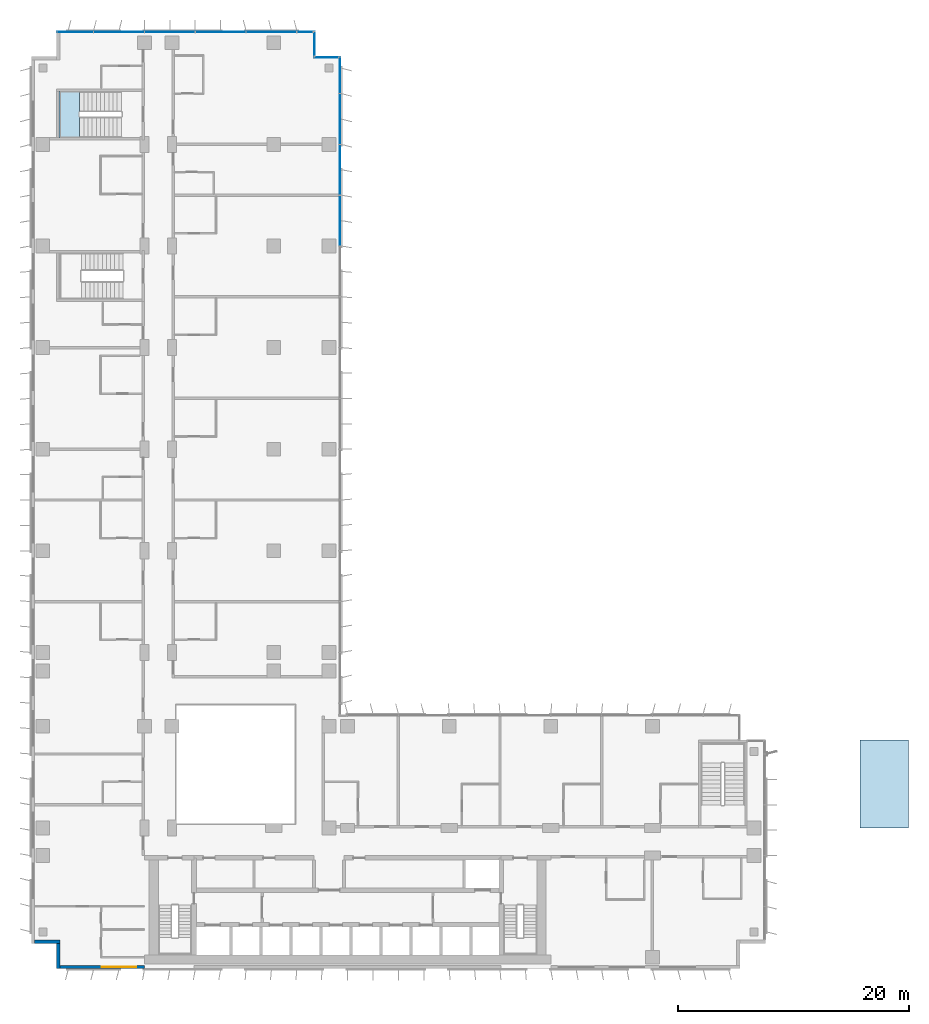
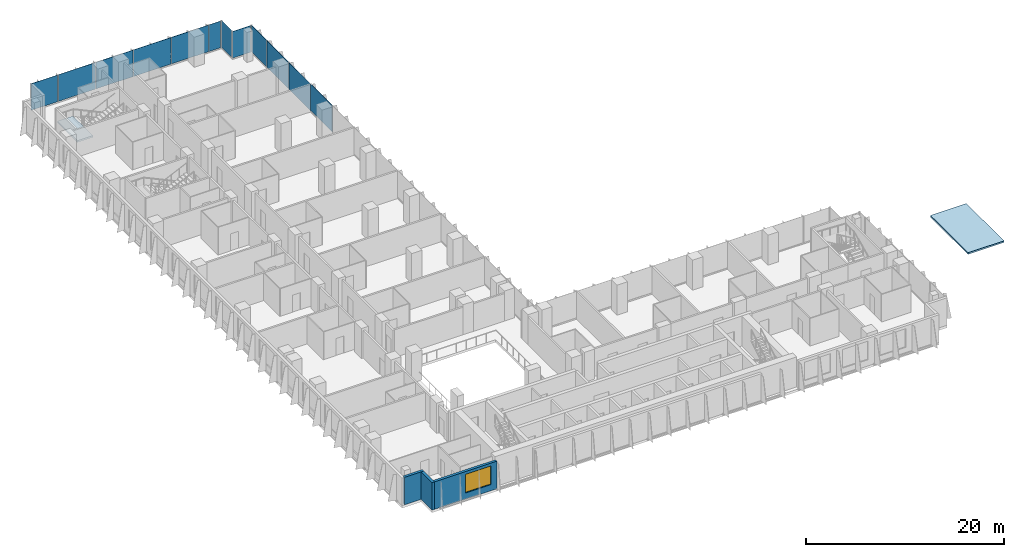
# One storey, part 12 of 22: 12 plates, 3 walls, 2 slabs, 1 window, 1 opening, 5 elements without a shape of their own.
"""IFC4 building model written with IfcOpenShell, lengths in metres."""

from ifc_helpers import new_model, si_unit, direction, frame, frame_2d, origin, origin_2d, place, context, subcontext, project, spatial, polyline, rectangle, outline, extrude, source, transform, mapped, material, layer, layer_set, type_object, element, fill, aggregate, save


model = new_model("IFC4")

# Units and contexts
model_context = context("Model", 3, precision=1e-05, world=origin(), true_north=direction((0.0, 1.0)))
body_context = subcontext(model_context, "Body", "Model", "MODEL_VIEW")
ifc_project = project(units=[si_unit("LENGTHUNIT", "METRE"), si_unit("AREAUNIT", "SQUARE_METRE"), si_unit("VOLUMEUNIT", "CUBIC_METRE"), si_unit("PLANEANGLEUNIT", "RADIAN"), si_unit("MASSUNIT", "GRAM", prefix="KILO")], contexts=[model_context])

# Site, building, storey
site_placement = place(None, origin())
site = spatial("IfcSite", under=ifc_project, at=site_placement, CompositionType="ELEMENT")
building_placement = place(site_placement, origin())
building = spatial("IfcBuilding", under=site, at=building_placement, Name="Kemantara Hotel Tower", CompositionType="ELEMENT")
storey_placement = place(building_placement, frame((0.0, 0.0, 87.10009765625)))
storey = spatial("IfcBuildingStorey", under=building, at=storey_placement, Name="L20", CompositionType="ELEMENT", Elevation=87.10009765625)

# Slab
ifc_material_1 = material(Name="Concrete fc 40 MPa", Category="concrete")
ifc_layer_1 = layer(ifc_material_1, 0.199951171875)
ifc_layer_set_1 = layer_set([ifc_layer_1], Name="Concrete fc 40 MPa")
slab_type_1 = type_object("IfcSlabType", Name="Head-house roof slab 200 mm", PredefinedType="ROOF", material=ifc_layer_set_1)
slab_1_placement = place(storey_placement, frame((0.0, 0.0, -0.2001953125)))
element("IfcSlab", 1, at=slab_1_placement, inside=storey, type_object=slab_type_1, Name="Stair ST5 head-house roof", PredefinedType="ROOF", context=body_context, shape_type="SweptSolid", body=[
    extrude(outline(polyline([(71.800048828125, 12.199951171875), (76.0, 12.199951171875), (76.0, 19.800048828125), (71.800048828125, 19.800048828125), (71.800048828125, 12.199951171875)])), origin(), (0.0, 0.0, 1.0), 0.2001953125),
])

# Stair, slab
stair_type = type_object("IfcStairType", Name="Stair 1800 wide 22 risers of 168 x 360 mm", PredefinedType="HALF_TURN_STAIR", material=ifc_material_1)
stair_placement = place(storey_placement, origin())
stair = element("IfcStair", 2, at=stair_placement, inside=storey, type_object=stair_type, Name="L20 Exit stair ST6", PredefinedType="HALF_TURN_STAIR")
ifc_layer_2 = layer(ifc_material_1, 0.199951171875)
ifc_layer_set_2 = layer_set([ifc_layer_2], Name="Concrete fc 40 MPa")
slab_type_2 = type_object("IfcSlabType", Name="Stair landing 200 mm", PredefinedType="LANDING", material=ifc_layer_set_2)
slab_2_placement = place(storey_placement, frame((0.0, 0.0, 1.64990234375)))
slab_2 = element("IfcSlab", 3, at=slab_2_placement, type_object=slab_type_2, Name="ST6 landing 1", PredefinedType="LANDING", context=body_context, shape_type="SweptSolid", body=[
    extrude(outline(polyline([(4.199951171875, 76.0), (2.39990234375, 76.0), (2.39990234375, 72.0), (4.199951171875, 72.0), (4.199951171875, 76.0)])), origin(), (0.0, 0.0, 1.0), 0.199951171875),
])
aggregate(stair, [slab_2])

# Curtain wall, plates
ifc_material_2 = material(Name="Low-E tinted double insulated glass 36 mm", Category="glass")
curtain_wall_type = type_object("IfcCurtainWallType", Name="TOWER CURTAIN WALL, FRONT FACES", PredefinedType="USERDEFINED", material=ifc_material_2)
curtain_wall_1_placement = place(storey_placement, origin())
curtain_wall_1 = element("IfcCurtainWall", 4, at=curtain_wall_1_placement, inside=storey, type_object=curtain_wall_type, Name="CW4 L20 T2-R01-1", ObjectType="TOWER CURTAIN WALL, FRONT FACES", PredefinedType="USERDEFINED")
ifc_layer_3 = layer(ifc_material_2, 0.035888671875)
ifc_layer_set_3 = layer_set([ifc_layer_3], Name="Low-E tinted double insulated glass 36 mm")
plate_type = type_object("IfcPlateType", Name="TOWER CURTAIN WALL, FRONT FACES PANEL", PredefinedType="CURTAIN_PANEL", material=ifc_layer_set_3)
shared_shape_1 = source(origin(), body_context, "Body", "SweptSolid", [
    extrude(rectangle(XDim=4.340087890625, YDim=0.035888671875, at=origin_2d()), origin(), (0.0, 0.0, 1.0), 3.280029296875),
])
plate_1_placement = place(storey_placement, frame((20.800048828125, 81.125, 0.1201171875), z_axis=(0.0, 0.0, 1.0), x_axis=(-1.0, 0.0, 0.0)))
plate_1 = element("IfcPlate", 5, at=plate_1_placement, type_object=plate_type, Name="CW4 glass panel T2-R01-1.2", PredefinedType="CURTAIN_PANEL", context=body_context, shape_type="MappedRepresentation", body=[
    mapped(shared_shape_1, transform((0.0, 0.0, 0.0))),
])
plate_2_placement = place(storey_placement, frame((16.39990234375, 81.125, 0.1201171875), z_axis=(0.0, 0.0, 1.0), x_axis=(-1.0, 0.0, 0.0)))
plate_2 = element("IfcPlate", 6, at=plate_2_placement, type_object=plate_type, Name="CW4 glass panel T2-R01-1.3", PredefinedType="CURTAIN_PANEL", context=body_context, shape_type="MappedRepresentation", body=[
    mapped(shared_shape_1, transform((0.0, 0.0, 0.0))),
])
plate_3_placement = place(storey_placement, frame((12.0, 81.125, 0.1201171875), z_axis=(0.0, 0.0, 1.0), x_axis=(-1.0, 0.0, 0.0)))
plate_3 = element("IfcPlate", 7, at=plate_3_placement, type_object=plate_type, Name="CW4 glass panel T2-R01-1.4", PredefinedType="CURTAIN_PANEL", context=body_context, shape_type="MappedRepresentation", body=[
    mapped(shared_shape_1, transform((0.0, 0.0, 0.0))),
])
plate_4_placement = place(storey_placement, frame((7.60009765625, 81.125, 0.1201171875), z_axis=(0.0, 0.0, 1.0), x_axis=(-1.0, 0.0, 0.0)))
plate_4 = element("IfcPlate", 8, at=plate_4_placement, type_object=plate_type, Name="CW4 glass panel T2-R01-1.5", PredefinedType="CURTAIN_PANEL", context=body_context, shape_type="MappedRepresentation", body=[
    mapped(shared_shape_1, transform((0.0, 0.0, 0.0))),
])

curtain_wall_2_placement = place(storey_placement, origin())
curtain_wall_2 = element("IfcCurtainWall", 9, at=curtain_wall_2_placement, inside=storey, type_object=curtain_wall_type, Name="CW4 L20 T2-R14-1", ObjectType="TOWER CURTAIN WALL, FRONT FACES", PredefinedType="USERDEFINED")
plate_5_placement = place(storey_placement, frame((26.72509765625, 64.800048828125, 0.1201171875), z_axis=(0.0, 0.0, 1.0), x_axis=(0.0, 1.0, 0.0)))
plate_5 = element("IfcPlate", 10, at=plate_5_placement, type_object=plate_type, Name="CW4 glass panel T2-R14-1.11", PredefinedType="CURTAIN_PANEL", context=body_context, shape_type="MappedRepresentation", body=[
    mapped(shared_shape_1, transform((0.0, 0.0, 0.0))),
])
plate_6_placement = place(storey_placement, frame((26.72509765625, 69.199951171875, 0.1201171875), z_axis=(0.0, 0.0, 1.0), x_axis=(0.0, 1.0, 0.0)))
plate_6 = element("IfcPlate", 11, at=plate_6_placement, type_object=plate_type, Name="CW4 glass panel T2-R14-1.12", PredefinedType="CURTAIN_PANEL", context=body_context, shape_type="MappedRepresentation", body=[
    mapped(shared_shape_1, transform((0.0, 0.0, 0.0))),
])
plate_7_placement = place(storey_placement, frame((26.72509765625, 73.60009765625, 0.1201171875), z_axis=(0.0, 0.0, 1.0), x_axis=(0.0, 1.0, 0.0)))
plate_7 = element("IfcPlate", 12, at=plate_7_placement, type_object=plate_type, Name="CW4 glass panel T2-R14-1.13", PredefinedType="CURTAIN_PANEL", context=body_context, shape_type="MappedRepresentation", body=[
    mapped(shared_shape_1, transform((0.0, 0.0, 0.0))),
])

# Plate
shared_shape_2 = source(origin(), body_context, "Body", "SweptSolid", [
    extrude(rectangle(XDim=1.360107421875, YDim=0.035888671875, at=origin_2d()), origin(), (0.0, 0.0, 1.0), 3.280029296875),
])
plate_8_placement = place(storey_placement, frame((23.7099609375, 81.125, 0.1201171875), z_axis=(0.0, 0.0, 1.0), x_axis=(-1.0, 0.0, 0.0)))
plate_8 = element("IfcPlate", 13, at=plate_8_placement, type_object=plate_type, Name="CW4 glass panel T2-R01-1.1", PredefinedType="CURTAIN_PANEL", context=body_context, shape_type="MappedRepresentation", body=[
    mapped(shared_shape_2, transform((0.0, 0.0, 0.0))),
])

shared_shape_3 = source(origin(), body_context, "Body", "SweptSolid", [
    extrude(rectangle(XDim=3.110107421875, YDim=0.035888671875, at=origin_2d()), origin(), (0.0, 0.0, 1.0), 3.280029296875),
])
plate_9_placement = place(storey_placement, frame((3.81494140625, 81.125, 0.1201171875), z_axis=(0.0, 0.0, 1.0), x_axis=(-1.0, 0.0, 0.0)))
plate_9 = element("IfcPlate", 14, at=plate_9_placement, type_object=plate_type, Name="CW4 glass panel T2-R01-1.6", PredefinedType="CURTAIN_PANEL", context=body_context, shape_type="MappedRepresentation", body=[
    mapped(shared_shape_3, transform((0.0, 0.0, 0.0))),
])

aggregate(curtain_wall_1, [plate_8, plate_1, plate_2, plate_3, plate_4, plate_9])

plate_10_placement = place(storey_placement, frame((26.72509765625, 77.385009765625, 0.1201171875), z_axis=(0.0, 0.0, 1.0), x_axis=(0.0, 1.0, 0.0)))
plate_10 = element("IfcPlate", 15, at=plate_10_placement, type_object=plate_type, Name="CW4 glass panel T2-R14-1.14", PredefinedType="CURTAIN_PANEL", context=body_context, shape_type="MappedRepresentation", body=[
    mapped(shared_shape_3, transform((0.0, 0.0, 0.0))),
])

aggregate(curtain_wall_2, [plate_5, plate_6, plate_7, plate_10])

# Curtain wall, plate
curtain_wall_3_placement = place(storey_placement, origin())
curtain_wall_3 = element("IfcCurtainWall", 16, at=curtain_wall_3_placement, inside=storey, type_object=curtain_wall_type, Name="CW4 L20 T2-R00-1", ObjectType="TOWER CURTAIN WALL, FRONT FACES", PredefinedType="USERDEFINED")
shared_shape_4 = source(origin(), body_context, "Body", "SweptSolid", [
    extrude(rectangle(XDim=2.080078125, YDim=0.035888671875, at=origin_2d()), origin(), (0.0, 0.0, 1.0), 3.280029296875),
])
plate_11_placement = place(storey_placement, frame((24.52490234375, 80.10009765625, 0.1201171875), z_axis=(0.0, 0.0, 1.0), x_axis=(0.0, 1.0, 0.0)))
plate_11 = element("IfcPlate", 17, at=plate_11_placement, type_object=plate_type, Name="CW4 glass panel T2-R00-1.1", PredefinedType="CURTAIN_PANEL", context=body_context, shape_type="MappedRepresentation", body=[
    mapped(shared_shape_4, transform((0.0, 0.0, 0.0))),
])
aggregate(curtain_wall_3, [plate_11])

curtain_wall_4_placement = place(storey_placement, origin())
curtain_wall_4 = element("IfcCurtainWall", 18, at=curtain_wall_4_placement, inside=storey, type_object=curtain_wall_type, Name="CW4 L20 T2-R15-1", ObjectType="TOWER CURTAIN WALL, FRONT FACES", PredefinedType="USERDEFINED")
plate_12_placement = place(storey_placement, frame((25.550048828125, 78.925048828125, 0.1201171875), z_axis=(0.0, 0.0, 1.0), x_axis=(-1.0, 0.0, 0.0)))
plate_12 = element("IfcPlate", 19, at=plate_12_placement, type_object=plate_type, Name="CW4 glass panel T2-R15-1.1", PredefinedType="CURTAIN_PANEL", context=body_context, shape_type="MappedRepresentation", body=[
    mapped(shared_shape_4, transform((0.0, 0.0, 0.0))),
])
aggregate(curtain_wall_4, [plate_12])

# Walls
ifc_material_3 = material(Name="Bronze anodised aluminium cladding on insulated steel stud wall", Category="steel")
ifc_layer_4 = layer(ifc_material_3, 0.300048828125)
ifc_layer_set_4 = layer_set([ifc_layer_4], Name="Bronze anodised aluminium cladding on insulated steel stud wall")
wall_type = type_object("IfcWallType", Name="BRONZE METAL-CLAD EXTERNAL WALL 300", PredefinedType="STANDARD", material=ifc_layer_set_4)
for number, where, z_axis, x_axis, name in (
    (20, (0.300048828125, 2.35009765625, 0.0), (0.0, 0.0, 1.0), (1.0, 0.0, 0.0), "EXTERNAL WALL L20 T2-R05"),
    (21, (2.35009765625, 2.199951171875, 0.0), (0.0, 0.0, 1.0), (0.0, -1.0, 0.0), "EXTERNAL WALL L20 T2-R06"),
):
    element("IfcWall", number, at=place(storey_placement, frame(where, z_axis=z_axis, x_axis=x_axis)), inside=storey, type_object=wall_type, Name=name, PredefinedType="STANDARD", context=body_context, shape_type="SweptSolid", body=[
        extrude(rectangle(XDim=2.199951171875, YDim=0.300048828125, at=frame_2d((1.10009765625, 0.0))), origin(), (0.0, 0.0, 1.0), 3.39990234375),
    ])

# Wall, opening, window
wall_placement = place(storey_placement, frame((2.5, 0.14990234375, 0.0), z_axis=(0.0, 0.0, 1.0), x_axis=(1.0, 0.0, 0.0)))
wall = element("IfcWall", 22, at=wall_placement, inside=storey, type_object=wall_type, Name="EXTERNAL WALL L20 T2-R07", PredefinedType="STANDARD", context=body_context, shape_type="SweptSolid", body=[
    extrude(rectangle(XDim=7.300048828125, YDim=0.300048828125, at=frame_2d((3.64990234375, 0.0))), origin(), (0.0, 0.0, 1.0), 3.39990234375),
])
opening_placement = place(wall_placement, frame((3.60009765625, 0.0, 0.75)))
opening = element("IfcOpeningElement", 23, at=opening_placement, cuts=wall, Name="Opening W1", PredefinedType="OPENING", context=body_context, shape_type="SweptSolid", body=[
    extrude(rectangle(XDim=3.0, YDim=2.300048828125, at=frame_2d((1.5, 1.14990234375))), frame((0.0, 0.159912109375, 0.0), z_axis=(0.0, -1.0, 0.0), x_axis=(1.0, 0.0, 0.0)), (0.0, 0.0, 1.0), 0.320068359375),
])
ifc_material_4 = material(Name="Low-E tinted double insulated glass in bronze anodised aluminium frame", Category="aluminium")
window_type = type_object("IfcWindowType", Name="CHICAGO WINDOW, TRIPLE PANEL 3000x2300", PartitioningType="TRIPLE_PANEL_VERTICAL", PredefinedType="WINDOW", material=ifc_material_4)
window_placement = place(opening_placement, origin())
window = element("IfcWindow", 24, at=window_placement, inside=storey, type_object=window_type, Name="CHICAGO WINDOW L20 T2-R07-54", OverallHeight=2.300048828125, OverallWidth=3.0, PartitioningType="SINGLE_PANEL", PredefinedType="WINDOW", context=body_context, shape_type="SweptSolid", body=[
    extrude(rectangle(XDim=3.0, YDim=2.300048828125, at=frame_2d((1.5, 1.14990234375))), frame((0.0, 0.030029296875, 0.0), z_axis=(0.0, -1.0, 0.0), x_axis=(1.0, 0.0, 0.0)), (0.0, 0.0, 1.0), 0.06005859375),
])
fill(opening, window)

save(model, "model.ifc")
